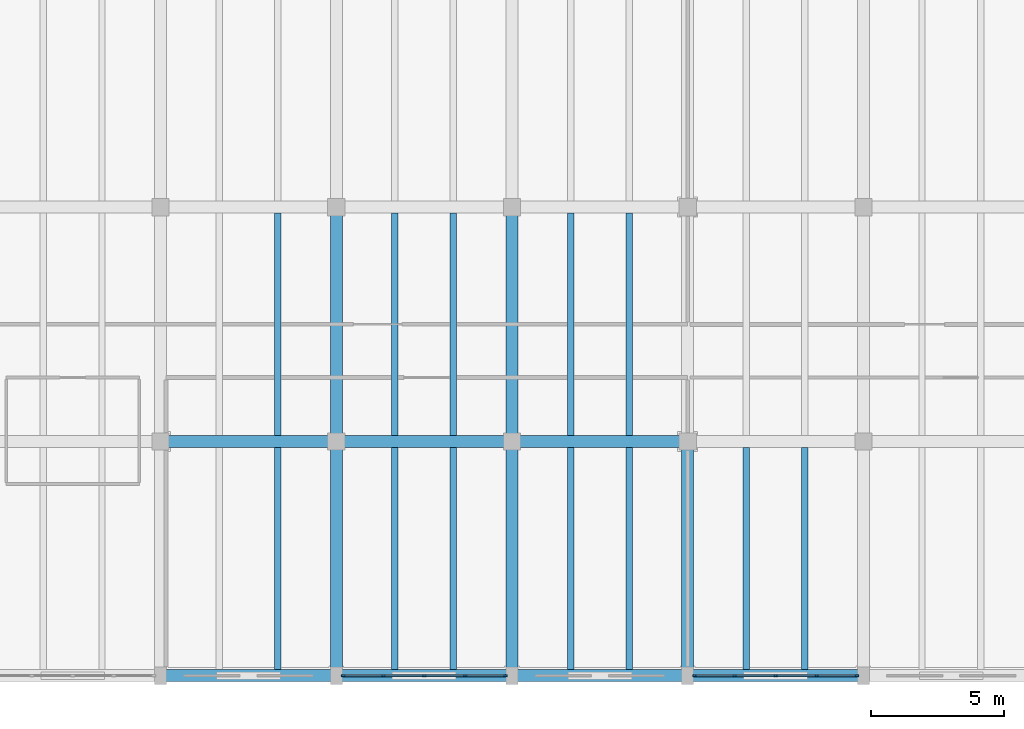
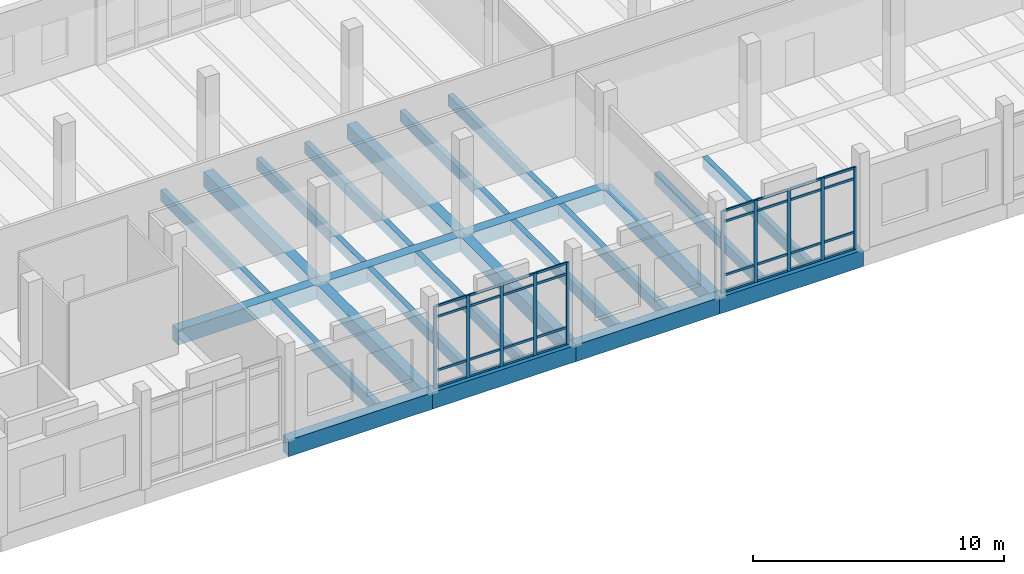
# One storey, part 35 of 101: 42 members, 24 beams, 2 elements without a shape of their own.
"""IFC4 building model written with IfcOpenShell, lengths in metres."""

from ifc_helpers import new_model, si_unit, direction, frame, origin, origin_2d, place, context, subcontext, project, spatial, rectangle, extrude, material, material_profile, profile_set, type_object, element, aggregate, save


model = new_model("IFC4")

# Units and contexts
model_context = context("Model", 3, precision=1e-05, world=origin(), true_north=direction((0.0, 1.0)))
body_context = subcontext(model_context, "Body", "Model", "MODEL_VIEW")
ifc_project = project(units=[si_unit("LENGTHUNIT", "METRE"), si_unit("AREAUNIT", "SQUARE_METRE"), si_unit("VOLUMEUNIT", "CUBIC_METRE"), si_unit("PLANEANGLEUNIT", "RADIAN"), si_unit("MASSUNIT", "GRAM", prefix="KILO")], contexts=[model_context])

# Site, building, storey
site_placement = place(None, origin())
site = spatial("IfcSite", under=ifc_project, at=site_placement, CompositionType="ELEMENT")
building_placement = place(site_placement, origin())
building = spatial("IfcBuilding", under=site, at=building_placement, Name="Dornvale Research Institute", CompositionType="ELEMENT")
storey_placement = place(building_placement, frame((0.0, 0.0, 10.199951171875)))
storey = spatial("IfcBuildingStorey", under=building, at=storey_placement, Name="L02", CompositionType="ELEMENT", Elevation=10.199951171875)

# Beams
ifc_material_1 = material(Name="Concrete f'c 45 MPa (C35/45)", Category="concrete")
ifc_material_profile_1 = material_profile(ifc_material_1, rectangle(XDim=0.449951171875, YDim=0.715087890625, at=origin_2d()), Name="RC 450x715")
ifc_profile_set_1 = profile_set([ifc_material_profile_1], Name="Concrete f'c 45 MPa (C35/45)")
beam_type_1 = type_object("IfcBeamType", Name="Beam_RC450x715_Lab", PredefinedType="BEAM", material=ifc_profile_set_1)
for number, where, z_axis, x_axis, name in (
    (1, (125.39990234375, 8.800048828125, -0.357421875), (1.0, 0.0, 0.0), (0.0, 1.0, 0.0), "L02 primary girder #714"),
    (2, (132.0, 8.800048828125, -0.357421875), (1.0, 0.0, 0.0), (0.0, 1.0, 0.0), "L02 primary girder #715"),
):
    element("IfcBeam", number, at=place(storey_placement, frame(where, z_axis=z_axis, x_axis=x_axis)), inside=storey, type_object=beam_type_1, Name=name, PredefinedType="BEAM", context=body_context, shape_type="SweptSolid", body=[
        extrude(rectangle(XDim=0.449951171875, YDim=0.715087890625, at=origin_2d()), origin(), (0.0, 0.0, 1.0), 6.60009765625),
    ])
beam_1_placement = place(storey_placement, frame((138.60009765625, 8.800048828125, -0.357421875), z_axis=(1.0, 0.0, 0.0), x_axis=(0.0, 1.0, 0.0)))
element("IfcBeam", 3, at=beam_1_placement, inside=storey, type_object=beam_type_1, Name="L02 primary girder #716", PredefinedType="BEAM", context=body_context, shape_type="SweptSolid", body=[
    extrude(rectangle(XDim=0.449951171875, YDim=0.715087890625, at=origin_2d()), origin(), (0.0, 0.0, 1.0), 6.599853515625),
])
for number, where, z_axis, x_axis, name in (
    (4, (132.0, 0.0, -0.357421875), (0.0, 1.0, 0.0), (-1.0, 0.0, 0.0), "L02 transverse girder #760"),
    (5, (132.0, 8.800048828125, -0.357421875), (0.0, 1.0, 0.0), (-1.0, 0.0, 0.0), "L02 transverse girder #761"),
    (6, (138.60009765625, 0.0, -0.357421875), (0.0, 1.0, 0.0), (-1.0, 0.0, 0.0), "L02 transverse girder #763"),
    (7, (138.60009765625, 8.800048828125, -0.357421875), (0.0, 1.0, 0.0), (-1.0, 0.0, 0.0), "L02 transverse girder #764"),
    (8, (145.199951171875, 0.0, -0.357421875), (0.0, 1.0, 0.0), (-1.0, 0.0, 0.0), "L02 transverse girder #766"),
):
    element("IfcBeam", number, at=place(storey_placement, frame(where, z_axis=z_axis, x_axis=x_axis)), inside=storey, type_object=beam_type_1, Name=name, PredefinedType="BEAM", context=body_context, shape_type="SweptSolid", body=[
        extrude(rectangle(XDim=0.449951171875, YDim=0.715087890625, at=origin_2d()), origin(), (0.0, 0.0, 1.0), 8.800048828125),
    ])
ifc_material_2 = material(Name="Concrete f'c 45 MPa (C35/45)", Category="concrete")
ifc_material_profile_2 = material_profile(ifc_material_2, rectangle(XDim=0.239990234375, YDim=0.534912109375, at=origin_2d()), Name="RC 240x535")
ifc_profile_set_2 = profile_set([ifc_material_profile_2], Name="Concrete f'c 45 MPa (C35/45)")
beam_type_2 = type_object("IfcBeamType", Name="Joist_RC240x535_Waffle", PredefinedType="JOIST", material=ifc_profile_set_2)
beam_2_placement = place(storey_placement, frame((129.800048828125, 0.22509765625, -0.267333984375), z_axis=(0.0, 1.0, 0.0), x_axis=(-1.0, 0.0, 0.0)))
element("IfcBeam", 9, at=beam_2_placement, inside=storey, type_object=beam_type_2, Name="L02 laboratory waffle joist #372", PredefinedType="JOIST", context=body_context, shape_type="SweptSolid", body=[
    extrude(rectangle(XDim=0.239990234375, YDim=0.534912109375, at=origin_2d()), origin(), (0.0, 0.0, 1.0), 8.349853515625),
])
beam_3_placement = place(storey_placement, frame((129.800048828125, 9.02490234375, -0.267333984375), z_axis=(0.0, 1.0, 0.0), x_axis=(-1.0, 0.0, 0.0)))
element("IfcBeam", 10, at=beam_3_placement, inside=storey, type_object=beam_type_2, Name="L02 laboratory waffle joist #374", PredefinedType="JOIST", context=body_context, shape_type="SweptSolid", body=[
    extrude(rectangle(XDim=0.239990234375, YDim=0.534912109375, at=origin_2d()), origin(), (0.0, 0.0, 1.0), 8.35009765625),
])
for number, where, z_axis, x_axis, name in (
    (11, (134.199951171875, 0.22509765625, -0.267333984375), (0.0, 1.0, 0.0), (-1.0, 0.0, 0.0), "L02 laboratory waffle joist #377"),
    (12, (136.39990234375, 0.22509765625, -0.267333984375), (0.0, 1.0, 0.0), (-1.0, 0.0, 0.0), "L02 laboratory waffle joist #378"),
):
    element("IfcBeam", number, at=place(storey_placement, frame(where, z_axis=z_axis, x_axis=x_axis)), inside=storey, type_object=beam_type_2, Name=name, PredefinedType="JOIST", context=body_context, shape_type="SweptSolid", body=[
        extrude(rectangle(XDim=0.239990234375, YDim=0.534912109375, at=origin_2d()), origin(), (0.0, 0.0, 1.0), 8.349853515625),
    ])
for number, where, z_axis, x_axis, name in (
    (13, (134.199951171875, 9.02490234375, -0.267333984375), (0.0, 1.0, 0.0), (-1.0, 0.0, 0.0), "L02 laboratory waffle joist #379"),
    (14, (136.39990234375, 9.02490234375, -0.267333984375), (0.0, 1.0, 0.0), (-1.0, 0.0, 0.0), "L02 laboratory waffle joist #380"),
):
    element("IfcBeam", number, at=place(storey_placement, frame(where, z_axis=z_axis, x_axis=x_axis)), inside=storey, type_object=beam_type_2, Name=name, PredefinedType="JOIST", context=body_context, shape_type="SweptSolid", body=[
        extrude(rectangle(XDim=0.239990234375, YDim=0.534912109375, at=origin_2d()), origin(), (0.0, 0.0, 1.0), 8.35009765625),
    ])
for number, where, z_axis, x_axis, name in (
    (15, (140.800048828125, 0.22509765625, -0.267333984375), (0.0, 1.0, 0.0), (-1.0, 0.0, 0.0), "L02 laboratory waffle joist #383"),
    (16, (143.0, 0.22509765625, -0.267333984375), (0.0, 1.0, 0.0), (-1.0, 0.0, 0.0), "L02 laboratory waffle joist #384"),
):
    element("IfcBeam", number, at=place(storey_placement, frame(where, z_axis=z_axis, x_axis=x_axis)), inside=storey, type_object=beam_type_2, Name=name, PredefinedType="JOIST", context=body_context, shape_type="SweptSolid", body=[
        extrude(rectangle(XDim=0.239990234375, YDim=0.534912109375, at=origin_2d()), origin(), (0.0, 0.0, 1.0), 8.349853515625),
    ])
for number, where, z_axis, x_axis, name in (
    (17, (140.800048828125, 9.02490234375, -0.267333984375), (0.0, 1.0, 0.0), (-1.0, 0.0, 0.0), "L02 laboratory waffle joist #385"),
    (18, (143.0, 9.02490234375, -0.267333984375), (0.0, 1.0, 0.0), (-1.0, 0.0, 0.0), "L02 laboratory waffle joist #386"),
):
    element("IfcBeam", number, at=place(storey_placement, frame(where, z_axis=z_axis, x_axis=x_axis)), inside=storey, type_object=beam_type_2, Name=name, PredefinedType="JOIST", context=body_context, shape_type="SweptSolid", body=[
        extrude(rectangle(XDim=0.239990234375, YDim=0.534912109375, at=origin_2d()), origin(), (0.0, 0.0, 1.0), 8.35009765625),
    ])
for number, where, z_axis, x_axis, name in (
    (19, (147.39990234375, 0.22509765625, -0.267333984375), (0.0, 1.0, 0.0), (-1.0, 0.0, 0.0), "L02 laboratory waffle joist #389"),
    (20, (149.60009765625, 0.22509765625, -0.267333984375), (0.0, 1.0, 0.0), (-1.0, 0.0, 0.0), "L02 laboratory waffle joist #390"),
):
    element("IfcBeam", number, at=place(storey_placement, frame(where, z_axis=z_axis, x_axis=x_axis)), inside=storey, type_object=beam_type_2, Name=name, PredefinedType="JOIST", context=body_context, shape_type="SweptSolid", body=[
        extrude(rectangle(XDim=0.239990234375, YDim=0.534912109375, at=origin_2d()), origin(), (0.0, 0.0, 1.0), 8.349853515625),
    ])

# Curtain wall, members
ifc_material_3 = material(Name="Low-E Argon Double Insulating Glazing Unit", Category="glass")
curtain_wall_type = type_object("IfcCurtainWallType", Name="UnitisedCurtainWall_V3_6150x4000", PredefinedType="USERDEFINED", material=ifc_material_3)
curtain_wall_1_placement = place(storey_placement, origin())
curtain_wall_1 = element("IfcCurtainWall", 21, at=curtain_wall_1_placement, inside=storey, type_object=curtain_wall_type, Name="L02 V3 unitised curtain wall CW-06 #50", ObjectType="UNITISED CURTAIN WALL", PredefinedType="USERDEFINED")
ifc_material_4 = material(Name="Anodized Aluminum AA 6063-T6 Thermally Broken Frame", Category="aluminium")
ifc_material_profile_3 = material_profile(ifc_material_4, rectangle(XDim=0.06494140625, YDim=0.14990234375, at=origin_2d()), Name="ALU MULLION 65x150")
ifc_profile_set_3 = profile_set([ifc_material_profile_3], Name="Anodized Aluminum AA 6063-T6 Thermally Broken Frame")
member_type_1 = type_object("IfcMemberType", Name="Mullion_CW_65x150", PredefinedType="MULLION", material=ifc_profile_set_3)
member_1_placement = place(storey_placement, frame((151.54248046875, 0.0, 0.0), z_axis=(0.0, 0.0, 1.0), x_axis=(0.0, -1.0, 0.0)))
member_1 = element("IfcMember", 22, at=member_1_placement, type_object=member_type_1, Name="CW-06 mullion 1", PredefinedType="MULLION", context=body_context, shape_type="SweptSolid", body=[
    extrude(rectangle(XDim=0.06494140625, YDim=0.14990234375, at=origin_2d()), origin(), (0.0, 0.0, 1.0), 4.0),
])
member_2_placement = place(storey_placement, frame((150.03759765625, 0.0, 0.0), z_axis=(0.0, 0.0, 1.0), x_axis=(0.0, -1.0, 0.0)))
member_2 = element("IfcMember", 23, at=member_2_placement, type_object=member_type_1, Name="CW-06 mullion 2", PredefinedType="MULLION", context=body_context, shape_type="SweptSolid", body=[
    extrude(rectangle(XDim=0.06494140625, YDim=0.14990234375, at=origin_2d()), origin(), (0.0, 0.0, 1.0), 4.0),
])
member_3_placement = place(storey_placement, frame((148.5, 0.0, 0.0), z_axis=(0.0, 0.0, 1.0), x_axis=(0.0, -1.0, 0.0)))
member_3 = element("IfcMember", 24, at=member_3_placement, type_object=member_type_1, Name="CW-06 mullion 3", PredefinedType="MULLION", context=body_context, shape_type="SweptSolid", body=[
    extrude(rectangle(XDim=0.06494140625, YDim=0.14990234375, at=origin_2d()), origin(), (0.0, 0.0, 1.0), 4.0),
])
member_4_placement = place(storey_placement, frame((146.96240234375, 0.0, 0.0), z_axis=(0.0, 0.0, 1.0), x_axis=(0.0, -1.0, 0.0)))
member_4 = element("IfcMember", 25, at=member_4_placement, type_object=member_type_1, Name="CW-06 mullion 4", PredefinedType="MULLION", context=body_context, shape_type="SweptSolid", body=[
    extrude(rectangle(XDim=0.06494140625, YDim=0.14990234375, at=origin_2d()), origin(), (0.0, 0.0, 1.0), 4.0),
])
member_5_placement = place(storey_placement, frame((145.45751953125, 0.0, 0.0), z_axis=(0.0, 0.0, 1.0), x_axis=(0.0, -1.0, 0.0)))
member_5 = element("IfcMember", 26, at=member_5_placement, type_object=member_type_1, Name="CW-06 mullion 5", PredefinedType="MULLION", context=body_context, shape_type="SweptSolid", body=[
    extrude(rectangle(XDim=0.06494140625, YDim=0.14990234375, at=origin_2d()), origin(), (0.0, 0.0, 1.0), 4.0),
])

curtain_wall_2_placement = place(storey_placement, origin())
curtain_wall_2 = element("IfcCurtainWall", 27, at=curtain_wall_2_placement, inside=storey, type_object=curtain_wall_type, Name="L02 V3 unitised curtain wall CW-06 #51", ObjectType="UNITISED CURTAIN WALL", PredefinedType="USERDEFINED")
member_6_placement = place(storey_placement, frame((138.342529296875, 0.0, 0.0), z_axis=(0.0, 0.0, 1.0), x_axis=(0.0, -1.0, 0.0)))
member_6 = element("IfcMember", 28, at=member_6_placement, type_object=member_type_1, Name="CW-06 mullion 1", PredefinedType="MULLION", context=body_context, shape_type="SweptSolid", body=[
    extrude(rectangle(XDim=0.06494140625, YDim=0.14990234375, at=origin_2d()), origin(), (0.0, 0.0, 1.0), 4.0),
])
member_7_placement = place(storey_placement, frame((136.83740234375, 0.0, 0.0), z_axis=(0.0, 0.0, 1.0), x_axis=(0.0, -1.0, 0.0)))
member_7 = element("IfcMember", 29, at=member_7_placement, type_object=member_type_1, Name="CW-06 mullion 2", PredefinedType="MULLION", context=body_context, shape_type="SweptSolid", body=[
    extrude(rectangle(XDim=0.06494140625, YDim=0.14990234375, at=origin_2d()), origin(), (0.0, 0.0, 1.0), 4.0),
])
member_8_placement = place(storey_placement, frame((135.300048828125, 0.0, 0.0), z_axis=(0.0, 0.0, 1.0), x_axis=(0.0, -1.0, 0.0)))
member_8 = element("IfcMember", 30, at=member_8_placement, type_object=member_type_1, Name="CW-06 mullion 3", PredefinedType="MULLION", context=body_context, shape_type="SweptSolid", body=[
    extrude(rectangle(XDim=0.06494140625, YDim=0.14990234375, at=origin_2d()), origin(), (0.0, 0.0, 1.0), 4.0),
])
member_9_placement = place(storey_placement, frame((133.762451171875, 0.0, 0.0), z_axis=(0.0, 0.0, 1.0), x_axis=(0.0, -1.0, 0.0)))
member_9 = element("IfcMember", 31, at=member_9_placement, type_object=member_type_1, Name="CW-06 mullion 4", PredefinedType="MULLION", context=body_context, shape_type="SweptSolid", body=[
    extrude(rectangle(XDim=0.06494140625, YDim=0.14990234375, at=origin_2d()), origin(), (0.0, 0.0, 1.0), 4.0),
])
member_10_placement = place(storey_placement, frame((132.257568359375, 0.0, 0.0), z_axis=(0.0, 0.0, 1.0), x_axis=(0.0, -1.0, 0.0)))
member_10 = element("IfcMember", 32, at=member_10_placement, type_object=member_type_1, Name="CW-06 mullion 5", PredefinedType="MULLION", context=body_context, shape_type="SweptSolid", body=[
    extrude(rectangle(XDim=0.06494140625, YDim=0.14990234375, at=origin_2d()), origin(), (0.0, 0.0, 1.0), 4.0),
])

# Beams
ifc_material_5 = material(Name="Concrete f'c 45 MPa (C35/45)", Category="concrete")
ifc_material_profile_4 = material_profile(ifc_material_5, rectangle(XDim=0.449951171875, YDim=0.800048828125, at=origin_2d()), Name="RC 450x800")
ifc_profile_set_4 = profile_set([ifc_material_profile_4], Name="Concrete f'c 45 MPa (C35/45)")
beam_type_3 = type_object("IfcBeamType", Name="Spandrel_RC450x800_Ext", PredefinedType="SPANDREL", material=ifc_profile_set_4)
for number, where, z_axis, x_axis, name in (
    (33, (125.39990234375, 0.0, -0.39990234375), (1.0, 0.0, 0.0), (0.0, 1.0, 0.0), "L02 perimeter spandrel #702"),
    (34, (132.0, 0.0, -0.39990234375), (1.0, 0.0, 0.0), (0.0, 1.0, 0.0), "L02 perimeter spandrel #703"),
):
    element("IfcBeam", number, at=place(storey_placement, frame(where, z_axis=z_axis, x_axis=x_axis)), inside=storey, type_object=beam_type_3, Name=name, PredefinedType="SPANDREL", context=body_context, shape_type="SweptSolid", body=[
        extrude(rectangle(XDim=0.449951171875, YDim=0.800048828125, at=origin_2d()), origin(), (0.0, 0.0, 1.0), 6.60009765625),
    ])
beam_4_placement = place(storey_placement, frame((138.60009765625, 0.0, -0.39990234375), z_axis=(1.0, 0.0, 0.0), x_axis=(0.0, 1.0, 0.0)))
element("IfcBeam", 35, at=beam_4_placement, inside=storey, type_object=beam_type_3, Name="L02 perimeter spandrel #704", PredefinedType="SPANDREL", context=body_context, shape_type="SweptSolid", body=[
    extrude(rectangle(XDim=0.449951171875, YDim=0.800048828125, at=origin_2d()), origin(), (0.0, 0.0, 1.0), 6.599853515625),
])
beam_5_placement = place(storey_placement, frame((145.199951171875, 0.0, -0.39990234375), z_axis=(1.0, 0.0, 0.0), x_axis=(0.0, 1.0, 0.0)))
element("IfcBeam", 36, at=beam_5_placement, inside=storey, type_object=beam_type_3, Name="L02 perimeter spandrel #705", PredefinedType="SPANDREL", context=body_context, shape_type="SweptSolid", body=[
    extrude(rectangle(XDim=0.449951171875, YDim=0.800048828125, at=origin_2d()), origin(), (0.0, 0.0, 1.0), 6.60009765625),
])

# Member
ifc_material_6 = material(Name="Anodized Aluminum AA 6063-T6 Thermally Broken Frame", Category="aluminium")
ifc_material_profile_5 = material_profile(ifc_material_6, rectangle(XDim=0.06494140625, YDim=0.110107421875, at=origin_2d()), Name="ALU TRANSOM 65x110")
ifc_profile_set_5 = profile_set([ifc_material_profile_5], Name="Anodized Aluminum AA 6063-T6 Thermally Broken Frame")
member_type_2 = type_object("IfcMemberType", Name="Transom_CW_65x110", PredefinedType="USERDEFINED", material=ifc_profile_set_5)
member_11_placement = place(storey_placement, frame((151.510009765625, 0.0, 0.032470703125), z_axis=(-1.0, 0.0, 0.0), x_axis=(0.0, -1.0, 0.0)))
member_11 = element("IfcMember", 37, at=member_11_placement, type_object=member_type_2, Name="CW-06 transom 1.1", ObjectType="TRANSOM", PredefinedType="USERDEFINED", context=body_context, shape_type="SweptSolid", body=[
    extrude(rectangle(XDim=0.06494140625, YDim=0.110107421875, at=origin_2d()), origin(), (0.0, 0.0, 1.0), 1.43994140625),
])

member_12_placement = place(storey_placement, frame((151.510009765625, 0.0, 0.85009765625), z_axis=(-1.0, 0.0, 0.0), x_axis=(0.0, -1.0, 0.0)))
member_12 = element("IfcMember", 38, at=member_12_placement, type_object=member_type_2, Name="CW-06 transom 1.2", ObjectType="TRANSOM", PredefinedType="USERDEFINED", context=body_context, shape_type="SweptSolid", body=[
    extrude(rectangle(XDim=0.06494140625, YDim=0.110107421875, at=origin_2d()), origin(), (0.0, 0.0, 1.0), 1.43994140625),
])

member_13_placement = place(storey_placement, frame((151.510009765625, 0.0, 3.449951171875), z_axis=(-1.0, 0.0, 0.0), x_axis=(0.0, -1.0, 0.0)))
member_13 = element("IfcMember", 39, at=member_13_placement, type_object=member_type_2, Name="CW-06 transom 1.3", ObjectType="TRANSOM", PredefinedType="USERDEFINED", context=body_context, shape_type="SweptSolid", body=[
    extrude(rectangle(XDim=0.06494140625, YDim=0.110107421875, at=origin_2d()), origin(), (0.0, 0.0, 1.0), 1.43994140625),
])

member_14_placement = place(storey_placement, frame((151.510009765625, 0.0, 3.967529296875), z_axis=(-1.0, 0.0, 0.0), x_axis=(0.0, -1.0, 0.0)))
member_14 = element("IfcMember", 40, at=member_14_placement, type_object=member_type_2, Name="CW-06 transom 1.4", ObjectType="TRANSOM", PredefinedType="USERDEFINED", context=body_context, shape_type="SweptSolid", body=[
    extrude(rectangle(XDim=0.06494140625, YDim=0.110107421875, at=origin_2d()), origin(), (0.0, 0.0, 1.0), 1.43994140625),
])

member_15_placement = place(storey_placement, frame((150.0048828125, 0.0, 0.032470703125), z_axis=(-1.0, 0.0, 0.0), x_axis=(0.0, -1.0, 0.0)))
member_15 = element("IfcMember", 41, at=member_15_placement, type_object=member_type_2, Name="CW-06 transom 2.1", ObjectType="TRANSOM", PredefinedType="USERDEFINED", context=body_context, shape_type="SweptSolid", body=[
    extrude(rectangle(XDim=0.06494140625, YDim=0.110107421875, at=origin_2d()), origin(), (0.0, 0.0, 1.0), 1.472412109375),
])

member_16_placement = place(storey_placement, frame((150.0048828125, 0.0, 0.85009765625), z_axis=(-1.0, 0.0, 0.0), x_axis=(0.0, -1.0, 0.0)))
member_16 = element("IfcMember", 42, at=member_16_placement, type_object=member_type_2, Name="CW-06 transom 2.2", ObjectType="TRANSOM", PredefinedType="USERDEFINED", context=body_context, shape_type="SweptSolid", body=[
    extrude(rectangle(XDim=0.06494140625, YDim=0.110107421875, at=origin_2d()), origin(), (0.0, 0.0, 1.0), 1.472412109375),
])

member_17_placement = place(storey_placement, frame((150.0048828125, 0.0, 3.449951171875), z_axis=(-1.0, 0.0, 0.0), x_axis=(0.0, -1.0, 0.0)))
member_17 = element("IfcMember", 43, at=member_17_placement, type_object=member_type_2, Name="CW-06 transom 2.3", ObjectType="TRANSOM", PredefinedType="USERDEFINED", context=body_context, shape_type="SweptSolid", body=[
    extrude(rectangle(XDim=0.06494140625, YDim=0.110107421875, at=origin_2d()), origin(), (0.0, 0.0, 1.0), 1.472412109375),
])

member_18_placement = place(storey_placement, frame((150.0048828125, 0.0, 3.967529296875), z_axis=(-1.0, 0.0, 0.0), x_axis=(0.0, -1.0, 0.0)))
member_18 = element("IfcMember", 44, at=member_18_placement, type_object=member_type_2, Name="CW-06 transom 2.4", ObjectType="TRANSOM", PredefinedType="USERDEFINED", context=body_context, shape_type="SweptSolid", body=[
    extrude(rectangle(XDim=0.06494140625, YDim=0.110107421875, at=origin_2d()), origin(), (0.0, 0.0, 1.0), 1.472412109375),
])

member_19_placement = place(storey_placement, frame((148.467529296875, 0.0, 0.032470703125), z_axis=(-1.0, 0.0, 0.0), x_axis=(0.0, -1.0, 0.0)))
member_19 = element("IfcMember", 45, at=member_19_placement, type_object=member_type_2, Name="CW-06 transom 3.1", ObjectType="TRANSOM", PredefinedType="USERDEFINED", context=body_context, shape_type="SweptSolid", body=[
    extrude(rectangle(XDim=0.06494140625, YDim=0.110107421875, at=origin_2d()), origin(), (0.0, 0.0, 1.0), 1.472412109375),
])

member_20_placement = place(storey_placement, frame((148.467529296875, 0.0, 0.85009765625), z_axis=(-1.0, 0.0, 0.0), x_axis=(0.0, -1.0, 0.0)))
member_20 = element("IfcMember", 46, at=member_20_placement, type_object=member_type_2, Name="CW-06 transom 3.2", ObjectType="TRANSOM", PredefinedType="USERDEFINED", context=body_context, shape_type="SweptSolid", body=[
    extrude(rectangle(XDim=0.06494140625, YDim=0.110107421875, at=origin_2d()), origin(), (0.0, 0.0, 1.0), 1.472412109375),
])

member_21_placement = place(storey_placement, frame((148.467529296875, 0.0, 3.449951171875), z_axis=(-1.0, 0.0, 0.0), x_axis=(0.0, -1.0, 0.0)))
member_21 = element("IfcMember", 47, at=member_21_placement, type_object=member_type_2, Name="CW-06 transom 3.3", ObjectType="TRANSOM", PredefinedType="USERDEFINED", context=body_context, shape_type="SweptSolid", body=[
    extrude(rectangle(XDim=0.06494140625, YDim=0.110107421875, at=origin_2d()), origin(), (0.0, 0.0, 1.0), 1.472412109375),
])

member_22_placement = place(storey_placement, frame((148.467529296875, 0.0, 3.967529296875), z_axis=(-1.0, 0.0, 0.0), x_axis=(0.0, -1.0, 0.0)))
member_22 = element("IfcMember", 48, at=member_22_placement, type_object=member_type_2, Name="CW-06 transom 3.4", ObjectType="TRANSOM", PredefinedType="USERDEFINED", context=body_context, shape_type="SweptSolid", body=[
    extrude(rectangle(XDim=0.06494140625, YDim=0.110107421875, at=origin_2d()), origin(), (0.0, 0.0, 1.0), 1.472412109375),
])

member_23_placement = place(storey_placement, frame((146.929931640625, 0.0, 0.032470703125), z_axis=(-1.0, 0.0, 0.0), x_axis=(0.0, -1.0, 0.0)))
member_23 = element("IfcMember", 49, at=member_23_placement, type_object=member_type_2, Name="CW-06 transom 4.1", ObjectType="TRANSOM", PredefinedType="USERDEFINED", context=body_context, shape_type="SweptSolid", body=[
    extrude(rectangle(XDim=0.06494140625, YDim=0.110107421875, at=origin_2d()), origin(), (0.0, 0.0, 1.0), 1.43994140625),
])

member_24_placement = place(storey_placement, frame((146.929931640625, 0.0, 0.85009765625), z_axis=(-1.0, 0.0, 0.0), x_axis=(0.0, -1.0, 0.0)))
member_24 = element("IfcMember", 50, at=member_24_placement, type_object=member_type_2, Name="CW-06 transom 4.2", ObjectType="TRANSOM", PredefinedType="USERDEFINED", context=body_context, shape_type="SweptSolid", body=[
    extrude(rectangle(XDim=0.06494140625, YDim=0.110107421875, at=origin_2d()), origin(), (0.0, 0.0, 1.0), 1.43994140625),
])

member_25_placement = place(storey_placement, frame((146.929931640625, 0.0, 3.449951171875), z_axis=(-1.0, 0.0, 0.0), x_axis=(0.0, -1.0, 0.0)))
member_25 = element("IfcMember", 51, at=member_25_placement, type_object=member_type_2, Name="CW-06 transom 4.3", ObjectType="TRANSOM", PredefinedType="USERDEFINED", context=body_context, shape_type="SweptSolid", body=[
    extrude(rectangle(XDim=0.06494140625, YDim=0.110107421875, at=origin_2d()), origin(), (0.0, 0.0, 1.0), 1.43994140625),
])

member_26_placement = place(storey_placement, frame((146.929931640625, 0.0, 3.967529296875), z_axis=(-1.0, 0.0, 0.0), x_axis=(0.0, -1.0, 0.0)))
member_26 = element("IfcMember", 52, at=member_26_placement, type_object=member_type_2, Name="CW-06 transom 4.4", ObjectType="TRANSOM", PredefinedType="USERDEFINED", context=body_context, shape_type="SweptSolid", body=[
    extrude(rectangle(XDim=0.06494140625, YDim=0.110107421875, at=origin_2d()), origin(), (0.0, 0.0, 1.0), 1.43994140625),
])

aggregate(curtain_wall_1, [member_1, member_2, member_3, member_4, member_5, member_11, member_12, member_13, member_14, member_15, member_16, member_17, member_18, member_19, member_20, member_21, member_22, member_23, member_24, member_25, member_26])

member_27_placement = place(storey_placement, frame((138.31005859375, 0.0, 0.032470703125), z_axis=(-1.0, 0.0, 0.0), x_axis=(0.0, -1.0, 0.0)))
member_27 = element("IfcMember", 53, at=member_27_placement, type_object=member_type_2, Name="CW-06 transom 1.1", ObjectType="TRANSOM", PredefinedType="USERDEFINED", context=body_context, shape_type="SweptSolid", body=[
    extrude(rectangle(XDim=0.06494140625, YDim=0.110107421875, at=origin_2d()), origin(), (0.0, 0.0, 1.0), 1.43994140625),
])

member_28_placement = place(storey_placement, frame((138.31005859375, 0.0, 0.85009765625), z_axis=(-1.0, 0.0, 0.0), x_axis=(0.0, -1.0, 0.0)))
member_28 = element("IfcMember", 54, at=member_28_placement, type_object=member_type_2, Name="CW-06 transom 1.2", ObjectType="TRANSOM", PredefinedType="USERDEFINED", context=body_context, shape_type="SweptSolid", body=[
    extrude(rectangle(XDim=0.06494140625, YDim=0.110107421875, at=origin_2d()), origin(), (0.0, 0.0, 1.0), 1.43994140625),
])

member_29_placement = place(storey_placement, frame((138.31005859375, 0.0, 3.449951171875), z_axis=(-1.0, 0.0, 0.0), x_axis=(0.0, -1.0, 0.0)))
member_29 = element("IfcMember", 55, at=member_29_placement, type_object=member_type_2, Name="CW-06 transom 1.3", ObjectType="TRANSOM", PredefinedType="USERDEFINED", context=body_context, shape_type="SweptSolid", body=[
    extrude(rectangle(XDim=0.06494140625, YDim=0.110107421875, at=origin_2d()), origin(), (0.0, 0.0, 1.0), 1.43994140625),
])

member_30_placement = place(storey_placement, frame((138.31005859375, 0.0, 3.967529296875), z_axis=(-1.0, 0.0, 0.0), x_axis=(0.0, -1.0, 0.0)))
member_30 = element("IfcMember", 56, at=member_30_placement, type_object=member_type_2, Name="CW-06 transom 1.4", ObjectType="TRANSOM", PredefinedType="USERDEFINED", context=body_context, shape_type="SweptSolid", body=[
    extrude(rectangle(XDim=0.06494140625, YDim=0.110107421875, at=origin_2d()), origin(), (0.0, 0.0, 1.0), 1.43994140625),
])

member_31_placement = place(storey_placement, frame((136.804931640625, 0.0, 0.032470703125), z_axis=(-1.0, 0.0, 0.0), x_axis=(0.0, -1.0, 0.0)))
member_31 = element("IfcMember", 57, at=member_31_placement, type_object=member_type_2, Name="CW-06 transom 2.1", ObjectType="TRANSOM", PredefinedType="USERDEFINED", context=body_context, shape_type="SweptSolid", body=[
    extrude(rectangle(XDim=0.06494140625, YDim=0.110107421875, at=origin_2d()), origin(), (0.0, 0.0, 1.0), 1.472412109375),
])

member_32_placement = place(storey_placement, frame((136.804931640625, 0.0, 0.85009765625), z_axis=(-1.0, 0.0, 0.0), x_axis=(0.0, -1.0, 0.0)))
member_32 = element("IfcMember", 58, at=member_32_placement, type_object=member_type_2, Name="CW-06 transom 2.2", ObjectType="TRANSOM", PredefinedType="USERDEFINED", context=body_context, shape_type="SweptSolid", body=[
    extrude(rectangle(XDim=0.06494140625, YDim=0.110107421875, at=origin_2d()), origin(), (0.0, 0.0, 1.0), 1.472412109375),
])

member_33_placement = place(storey_placement, frame((136.804931640625, 0.0, 3.449951171875), z_axis=(-1.0, 0.0, 0.0), x_axis=(0.0, -1.0, 0.0)))
member_33 = element("IfcMember", 59, at=member_33_placement, type_object=member_type_2, Name="CW-06 transom 2.3", ObjectType="TRANSOM", PredefinedType="USERDEFINED", context=body_context, shape_type="SweptSolid", body=[
    extrude(rectangle(XDim=0.06494140625, YDim=0.110107421875, at=origin_2d()), origin(), (0.0, 0.0, 1.0), 1.472412109375),
])

member_34_placement = place(storey_placement, frame((136.804931640625, 0.0, 3.967529296875), z_axis=(-1.0, 0.0, 0.0), x_axis=(0.0, -1.0, 0.0)))
member_34 = element("IfcMember", 60, at=member_34_placement, type_object=member_type_2, Name="CW-06 transom 2.4", ObjectType="TRANSOM", PredefinedType="USERDEFINED", context=body_context, shape_type="SweptSolid", body=[
    extrude(rectangle(XDim=0.06494140625, YDim=0.110107421875, at=origin_2d()), origin(), (0.0, 0.0, 1.0), 1.472412109375),
])

member_35_placement = place(storey_placement, frame((135.267578125, 0.0, 0.032470703125), z_axis=(-1.0, 0.0, 0.0), x_axis=(0.0, -1.0, 0.0)))
member_35 = element("IfcMember", 61, at=member_35_placement, type_object=member_type_2, Name="CW-06 transom 3.1", ObjectType="TRANSOM", PredefinedType="USERDEFINED", context=body_context, shape_type="SweptSolid", body=[
    extrude(rectangle(XDim=0.06494140625, YDim=0.110107421875, at=origin_2d()), origin(), (0.0, 0.0, 1.0), 1.47265625),
])

member_36_placement = place(storey_placement, frame((135.267578125, 0.0, 0.85009765625), z_axis=(-1.0, 0.0, 0.0), x_axis=(0.0, -1.0, 0.0)))
member_36 = element("IfcMember", 62, at=member_36_placement, type_object=member_type_2, Name="CW-06 transom 3.2", ObjectType="TRANSOM", PredefinedType="USERDEFINED", context=body_context, shape_type="SweptSolid", body=[
    extrude(rectangle(XDim=0.06494140625, YDim=0.110107421875, at=origin_2d()), origin(), (0.0, 0.0, 1.0), 1.47265625),
])

member_37_placement = place(storey_placement, frame((135.267578125, 0.0, 3.449951171875), z_axis=(-1.0, 0.0, 0.0), x_axis=(0.0, -1.0, 0.0)))
member_37 = element("IfcMember", 63, at=member_37_placement, type_object=member_type_2, Name="CW-06 transom 3.3", ObjectType="TRANSOM", PredefinedType="USERDEFINED", context=body_context, shape_type="SweptSolid", body=[
    extrude(rectangle(XDim=0.06494140625, YDim=0.110107421875, at=origin_2d()), origin(), (0.0, 0.0, 1.0), 1.47265625),
])

member_38_placement = place(storey_placement, frame((135.267578125, 0.0, 3.967529296875), z_axis=(-1.0, 0.0, 0.0), x_axis=(0.0, -1.0, 0.0)))
member_38 = element("IfcMember", 64, at=member_38_placement, type_object=member_type_2, Name="CW-06 transom 3.4", ObjectType="TRANSOM", PredefinedType="USERDEFINED", context=body_context, shape_type="SweptSolid", body=[
    extrude(rectangle(XDim=0.06494140625, YDim=0.110107421875, at=origin_2d()), origin(), (0.0, 0.0, 1.0), 1.47265625),
])

member_39_placement = place(storey_placement, frame((133.72998046875, 0.0, 0.032470703125), z_axis=(-1.0, 0.0, 0.0), x_axis=(0.0, -1.0, 0.0)))
member_39 = element("IfcMember", 65, at=member_39_placement, type_object=member_type_2, Name="CW-06 transom 4.1", ObjectType="TRANSOM", PredefinedType="USERDEFINED", context=body_context, shape_type="SweptSolid", body=[
    extrude(rectangle(XDim=0.06494140625, YDim=0.110107421875, at=origin_2d()), origin(), (0.0, 0.0, 1.0), 1.43994140625),
])

member_40_placement = place(storey_placement, frame((133.72998046875, 0.0, 0.85009765625), z_axis=(-1.0, 0.0, 0.0), x_axis=(0.0, -1.0, 0.0)))
member_40 = element("IfcMember", 66, at=member_40_placement, type_object=member_type_2, Name="CW-06 transom 4.2", ObjectType="TRANSOM", PredefinedType="USERDEFINED", context=body_context, shape_type="SweptSolid", body=[
    extrude(rectangle(XDim=0.06494140625, YDim=0.110107421875, at=origin_2d()), origin(), (0.0, 0.0, 1.0), 1.43994140625),
])

member_41_placement = place(storey_placement, frame((133.72998046875, 0.0, 3.449951171875), z_axis=(-1.0, 0.0, 0.0), x_axis=(0.0, -1.0, 0.0)))
member_41 = element("IfcMember", 67, at=member_41_placement, type_object=member_type_2, Name="CW-06 transom 4.3", ObjectType="TRANSOM", PredefinedType="USERDEFINED", context=body_context, shape_type="SweptSolid", body=[
    extrude(rectangle(XDim=0.06494140625, YDim=0.110107421875, at=origin_2d()), origin(), (0.0, 0.0, 1.0), 1.43994140625),
])

member_42_placement = place(storey_placement, frame((133.72998046875, 0.0, 3.967529296875), z_axis=(-1.0, 0.0, 0.0), x_axis=(0.0, -1.0, 0.0)))
member_42 = element("IfcMember", 68, at=member_42_placement, type_object=member_type_2, Name="CW-06 transom 4.4", ObjectType="TRANSOM", PredefinedType="USERDEFINED", context=body_context, shape_type="SweptSolid", body=[
    extrude(rectangle(XDim=0.06494140625, YDim=0.110107421875, at=origin_2d()), origin(), (0.0, 0.0, 1.0), 1.43994140625),
])

aggregate(curtain_wall_2, [member_6, member_7, member_8, member_9, member_10, member_27, member_28, member_29, member_30, member_31, member_32, member_33, member_34, member_35, member_36, member_37, member_38, member_39, member_40, member_41, member_42])

save(model, "model.ifc")
